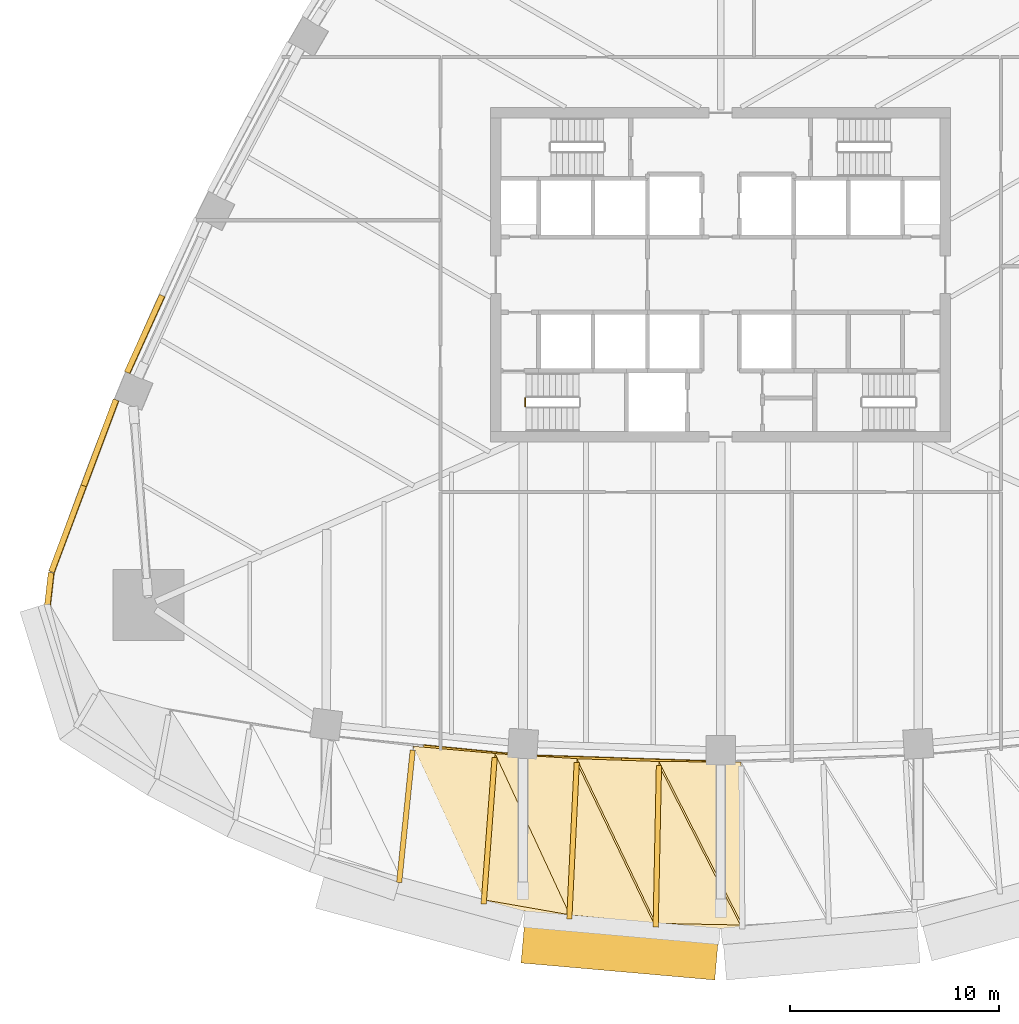
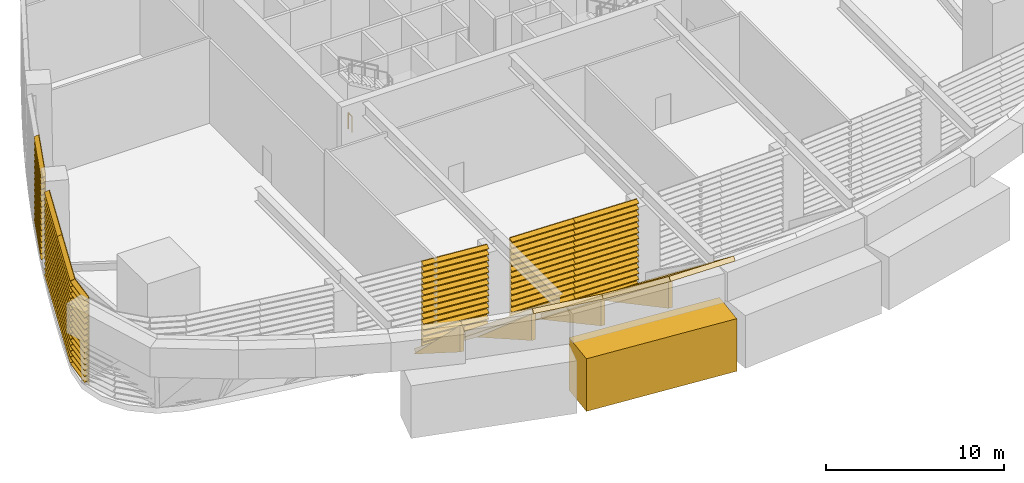
# One storey, part 9 of 15: 12 coverings, 7 shading devices, 1 railing.
"""IFC4 building model written with IfcOpenShell, lengths in metres."""

from ifc_helpers import new_model, si_unit, direction, frame, origin, origin_2d, place, context, subcontext, project, spatial, polyline, circle, outline, extrude, material, layer, layer_set, type_object, element, save


model = new_model("IFC4")

# Units and contexts
model_context = context("Model", 3, precision=1e-05, world=origin(), true_north=direction((0.0, 1.0)))
body_context = subcontext(model_context, "Body", "Model", "MODEL_VIEW")
ifc_project = project(units=[si_unit("LENGTHUNIT", "METRE"), si_unit("AREAUNIT", "SQUARE_METRE"), si_unit("VOLUMEUNIT", "CUBIC_METRE"), si_unit("PLANEANGLEUNIT", "RADIAN"), si_unit("MASSUNIT", "GRAM", prefix="KILO")], contexts=[model_context])

# Site, building, storey
site_placement = place(None, origin())
site = spatial("IfcSite", under=ifc_project, at=site_placement, CompositionType="ELEMENT")
building_placement = place(site_placement, origin())
building = spatial("IfcBuilding", under=site, at=building_placement, Name="Sierra Prisma Convention Tower", CompositionType="ELEMENT")
storey_placement = place(building_placement, frame((0.0, 0.0, 34.199951171875)))
storey = spatial("IfcBuildingStorey", under=building, at=storey_placement, Name="L05", CompositionType="ELEMENT", Elevation=34.199951171875)

# Shading devices
ifc_material_1 = material(Name="Aluminium 6063-T6 bronze anodised", Category="aluminium")
shading_device_type = type_object("IfcShadingDeviceType", Name="Louvre bay bronze", PredefinedType="USERDEFINED", material=ifc_material_1)
shading_device_1_placement = place(storey_placement, frame((-14.204345703125, -22.470947265625, 0.0), z_axis=(-0.995215370304, 0.097705510133, 0.0), x_axis=(0.0, 0.0, 1.0)))
element("IfcShadingDevice", 1, at=shading_device_1_placement, inside=storey, type_object=shading_device_type, Name="Louvre L05 S2.2", ObjectType="LOUVRE", PredefinedType="USERDEFINED", context=body_context, shape_type="SweptSolid", body=[
    extrude(outline(polyline([(0.0, 0.0), (6.0, 0.0), (6.0, -0.030171864421144508), (5.97998046875, -0.030171864421144508), (5.860107421875, -0.3000416905781454), (5.830078125, -0.3000416905781454), (5.949951171875, -0.030171864421144508), (5.60009765625, -0.030171864421144508), (5.580078125, -0.030171864421144508), (5.4599609375, -0.3000416905781454), (5.429931640625, -0.3000416905781454), (5.550048828125, -0.030171864421144508), (5.199951171875, -0.030171864421144508), (5.179931640625, -0.030171864421144508), (5.06005859375, -0.3000416905781454), (5.030029296875, -0.3000416905781454), (5.150146484375, -0.030171864421144508), (4.800048828125, -0.030171864421144508), (4.780029296875, -0.030171864421144508), (4.66015625, -0.3000416905781454), (4.630126953125, -0.3000416905781454), (4.75, -0.030171864421144508), (4.400146484375, -0.030171864421144508), (4.380126953125, -0.030171864421144508), (4.260009765625, -0.3000416905781454), (4.22998046875, -0.3000416905781454), (4.35009765625, -0.030171864421144508), (4.0, -0.030171864421144508), (3.97998046875, -0.030171864421144508), (3.860107421875, -0.3000416905781454), (3.830078125, -0.3000416905781454), (3.949951171875, -0.030171864421144508), (3.60009765625, -0.030171864421144508), (3.580078125, -0.030171864421144508), (3.4599609375, -0.3000416905781454), (3.429931640625, -0.3000416905781454), (3.550048828125, -0.030171864421144508), (3.199951171875, -0.030171864421144508), (3.179931640625, -0.030171864421144508), (3.06005859375, -0.3000416905781454), (3.030029296875, -0.3000416905781454), (3.150146484375, -0.030171864421144508), (2.800048828125, -0.030171864421144508), (2.780029296875, -0.030171864421144508), (2.66015625, -0.3000416905781454), (2.630126953125, -0.3000416905781454), (2.75, -0.030171864421144508), (2.400146484375, -0.030171864421144508), (2.380126953125, -0.030171864421144508), (2.260009765625, -0.3000416905781454), (2.22998046875, -0.3000416905781454), (2.35009765625, -0.030171864421144508), (2.0, -0.030171864421144508), (1.97998046875, -0.030171864421144508), (1.860107421875, -0.3000416905781454), (1.830078125, -0.3000416905781454), (1.949951171875, -0.030171864421144508), (1.60009765625, -0.030171864421144508), (1.580078125, -0.030171864421144508), (1.4599609375, -0.3000416905781454), (1.429931640625, -0.3000416905781454), (1.550048828125, -0.030171864421144508), (1.199951171875, -0.030171864421144508), (1.179931640625, -0.030171864421144508), (1.06005859375, -0.3000416905781454), (1.030029296875, -0.3000416905781454), (1.150146484375, -0.030171864421144508), (0.800048828125, -0.030171864421144508), (0.780029296875, -0.030171864421144508), (0.66015625, -0.3000416905781454), (0.630126953125, -0.3000416905781454), (0.75, -0.030171864421144508), (0.400146484375, -0.030171864421144508), (0.380126953125, -0.030171864421144508), (0.260009765625, -0.3000416905781454), (0.22998046875, -0.3000416905781454), (0.35009765625, -0.030171864421144508), (0.0, -0.030171864421144508), (0.0, 0.0)])), origin(), (0.0, 0.0, -1.0), 4.044189453125),
])
shading_device_2_placement = place(storey_placement, frame((-8.78369140625, -22.961181640625, 0.0), z_axis=(-0.999470863599, 0.032526801507, 0.0), x_axis=(0.0, 0.0, 1.0)))
element("IfcShadingDevice", 2, at=shading_device_2_placement, inside=storey, type_object=shading_device_type, Name="Louvre L05 S3.1", ObjectType="LOUVRE", PredefinedType="USERDEFINED", context=body_context, shape_type="SweptSolid", body=[
    extrude(outline(polyline([(0.0, 0.0), (6.0, 0.0), (6.0, -0.03004517173552959), (5.97998046875, -0.03004517173552959), (5.860107421875, -0.2999636944726791), (5.830078125, -0.2999636944726791), (5.949951171875, -0.03004517173552959), (5.60009765625, -0.03004517173552959), (5.580078125, -0.03004517173552959), (5.4599609375, -0.2999636944726791), (5.429931640625, -0.2999636944726791), (5.550048828125, -0.03004517173552959), (5.199951171875, -0.03004517173552959), (5.179931640625, -0.03004517173552959), (5.06005859375, -0.2999636944726791), (5.030029296875, -0.2999636944726791), (5.150146484375, -0.03004517173552959), (4.800048828125, -0.03004517173552959), (4.780029296875, -0.03004517173552959), (4.66015625, -0.2999636944726791), (4.630126953125, -0.2999636944726791), (4.75, -0.03004517173552959), (4.400146484375, -0.03004517173552959), (4.380126953125, -0.03004517173552959), (4.260009765625, -0.2999636944726791), (4.22998046875, -0.2999636944726791), (4.35009765625, -0.03004517173552959), (4.0, -0.03004517173552959), (3.97998046875, -0.03004517173552959), (3.860107421875, -0.2999636944726791), (3.830078125, -0.2999636944726791), (3.949951171875, -0.03004517173552959), (3.60009765625, -0.03004517173552959), (3.580078125, -0.03004517173552959), (3.4599609375, -0.2999636944726791), (3.429931640625, -0.2999636944726791), (3.550048828125, -0.03004517173552959), (3.199951171875, -0.03004517173552959), (3.179931640625, -0.03004517173552959), (3.06005859375, -0.2999636944726791), (3.030029296875, -0.2999636944726791), (3.150146484375, -0.03004517173552959), (2.800048828125, -0.03004517173552959), (2.780029296875, -0.03004517173552959), (2.66015625, -0.2999636944726791), (2.630126953125, -0.2999636944726791), (2.75, -0.03004517173552959), (2.400146484375, -0.03004517173552959), (2.380126953125, -0.03004517173552959), (2.260009765625, -0.2999636944726791), (2.22998046875, -0.2999636944726791), (2.35009765625, -0.03004517173552959), (2.0, -0.03004517173552959), (1.97998046875, -0.03004517173552959), (1.860107421875, -0.2999636944726791), (1.830078125, -0.2999636944726791), (1.949951171875, -0.03004517173552959), (1.60009765625, -0.03004517173552959), (1.580078125, -0.03004517173552959), (1.4599609375, -0.2999636944726791), (1.429931640625, -0.2999636944726791), (1.550048828125, -0.03004517173552959), (1.199951171875, -0.03004517173552959), (1.179931640625, -0.03004517173552959), (1.06005859375, -0.2999636944726791), (1.030029296875, -0.2999636944726791), (1.150146484375, -0.03004517173552959), (0.800048828125, -0.03004517173552959), (0.780029296875, -0.03004517173552959), (0.66015625, -0.2999636944726791), (0.630126953125, -0.2999636944726791), (0.75, -0.03004517173552959), (0.400146484375, -0.03004517173552959), (0.380126953125, -0.03004517173552959), (0.260009765625, -0.2999636944726791), (0.22998046875, -0.2999636944726791), (0.35009765625, -0.03004517173552959), (0.0, -0.03004517173552959), (0.0, 0.0)])), origin(), (0.0, 0.0, -1.0), 4.044189453125),
])
shading_device_3_placement = place(storey_placement, frame((-4.74169921875, -23.093994140625, 0.0), z_axis=(-0.999470863599, 0.032526801507, 0.0), x_axis=(0.0, 0.0, 1.0)))
element("IfcShadingDevice", 3, at=shading_device_3_placement, inside=storey, type_object=shading_device_type, Name="Louvre L05 S3.2", ObjectType="LOUVRE", PredefinedType="USERDEFINED", context=body_context, shape_type="SweptSolid", body=[
    extrude(outline(polyline([(0.0, 0.0), (6.0, 0.0), (6.0, -0.03004517173552959), (5.97998046875, -0.03004517173552959), (5.860107421875, -0.2999636944726791), (5.830078125, -0.2999636944726791), (5.949951171875, -0.03004517173552959), (5.60009765625, -0.03004517173552959), (5.580078125, -0.03004517173552959), (5.4599609375, -0.2999636944726791), (5.429931640625, -0.2999636944726791), (5.550048828125, -0.03004517173552959), (5.199951171875, -0.03004517173552959), (5.179931640625, -0.03004517173552959), (5.06005859375, -0.2999636944726791), (5.030029296875, -0.2999636944726791), (5.150146484375, -0.03004517173552959), (4.800048828125, -0.03004517173552959), (4.780029296875, -0.03004517173552959), (4.66015625, -0.2999636944726791), (4.630126953125, -0.2999636944726791), (4.75, -0.03004517173552959), (4.400146484375, -0.03004517173552959), (4.380126953125, -0.03004517173552959), (4.260009765625, -0.2999636944726791), (4.22998046875, -0.2999636944726791), (4.35009765625, -0.03004517173552959), (4.0, -0.03004517173552959), (3.97998046875, -0.03004517173552959), (3.860107421875, -0.2999636944726791), (3.830078125, -0.2999636944726791), (3.949951171875, -0.03004517173552959), (3.60009765625, -0.03004517173552959), (3.580078125, -0.03004517173552959), (3.4599609375, -0.2999636944726791), (3.429931640625, -0.2999636944726791), (3.550048828125, -0.03004517173552959), (3.199951171875, -0.03004517173552959), (3.179931640625, -0.03004517173552959), (3.06005859375, -0.2999636944726791), (3.030029296875, -0.2999636944726791), (3.150146484375, -0.03004517173552959), (2.800048828125, -0.03004517173552959), (2.780029296875, -0.03004517173552959), (2.66015625, -0.2999636944726791), (2.630126953125, -0.2999636944726791), (2.75, -0.03004517173552959), (2.400146484375, -0.03004517173552959), (2.380126953125, -0.03004517173552959), (2.260009765625, -0.2999636944726791), (2.22998046875, -0.2999636944726791), (2.35009765625, -0.03004517173552959), (2.0, -0.03004517173552959), (1.97998046875, -0.03004517173552959), (1.860107421875, -0.2999636944726791), (1.830078125, -0.2999636944726791), (1.949951171875, -0.03004517173552959), (1.60009765625, -0.03004517173552959), (1.580078125, -0.03004517173552959), (1.4599609375, -0.2999636944726791), (1.429931640625, -0.2999636944726791), (1.550048828125, -0.03004517173552959), (1.199951171875, -0.03004517173552959), (1.179931640625, -0.03004517173552959), (1.06005859375, -0.2999636944726791), (1.030029296875, -0.2999636944726791), (1.150146484375, -0.03004517173552959), (0.800048828125, -0.03004517173552959), (0.780029296875, -0.03004517173552959), (0.66015625, -0.2999636944726791), (0.630126953125, -0.2999636944726791), (0.75, -0.03004517173552959), (0.400146484375, -0.03004517173552959), (0.380126953125, -0.03004517173552959), (0.260009765625, -0.2999636944726791), (0.22998046875, -0.2999636944726791), (0.35009765625, -0.03004517173552959), (0.0, -0.03004517173552959), (0.0, 0.0)])), origin(), (0.0, 0.0, -1.0), 4.044189453125),
])
shading_device_4_placement = place(storey_placement, frame((-26.562744140625, -1.06591796875, 0.0), z_axis=(0.413647403297, 0.910437161887, 0.0), x_axis=(0.0, 0.0, 1.0)))
element("IfcShadingDevice", 4, at=shading_device_4_placement, inside=storey, type_object=shading_device_type, Name="Louvre L05 NW5.2", ObjectType="LOUVRE", PredefinedType="USERDEFINED", context=body_context, shape_type="SweptSolid", body=[
    extrude(outline(polyline([(0.0, 0.0), (6.0, 0.0), (6.0, -0.030045161059457964), (5.97998046875, -0.030045161059457964), (5.860107421875, -0.2999263714901415), (5.830078125, -0.2999263714901415), (5.949951171875, -0.030045161059457964), (5.60009765625, -0.030045161059457964), (5.580078125, -0.030045161059457964), (5.4599609375, -0.2999263714901415), (5.429931640625, -0.2999263714901415), (5.550048828125, -0.030045161059457964), (5.199951171875, -0.030045161059457964), (5.179931640625, -0.030045161059457964), (5.06005859375, -0.2999263714901415), (5.030029296875, -0.2999263714901415), (5.150146484375, -0.030045161059457964), (4.800048828125, -0.030045161059457964), (4.780029296875, -0.030045161059457964), (4.66015625, -0.2999263714901415), (4.630126953125, -0.2999263714901415), (4.75, -0.030045161059457964), (4.400146484375, -0.030045161059457964), (4.380126953125, -0.030045161059457964), (4.260009765625, -0.2999263714901415), (4.22998046875, -0.2999263714901415), (4.35009765625, -0.030045161059457964), (4.0, -0.030045161059457964), (3.97998046875, -0.030045161059457964), (3.860107421875, -0.2999263714901415), (3.830078125, -0.2999263714901415), (3.949951171875, -0.030045161059457964), (3.60009765625, -0.030045161059457964), (3.580078125, -0.030045161059457964), (3.4599609375, -0.2999263714901415), (3.429931640625, -0.2999263714901415), (3.550048828125, -0.030045161059457964), (3.199951171875, -0.030045161059457964), (3.179931640625, -0.030045161059457964), (3.06005859375, -0.2999263714901415), (3.030029296875, -0.2999263714901415), (3.150146484375, -0.030045161059457964), (2.800048828125, -0.030045161059457964), (2.780029296875, -0.030045161059457964), (2.66015625, -0.2999263714901415), (2.630126953125, -0.2999263714901415), (2.75, -0.030045161059457964), (2.400146484375, -0.030045161059457964), (2.380126953125, -0.030045161059457964), (2.260009765625, -0.2999263714901415), (2.22998046875, -0.2999263714901415), (2.35009765625, -0.030045161059457964), (2.0, -0.030045161059457964), (1.97998046875, -0.030045161059457964), (1.860107421875, -0.2999263714901415), (1.830078125, -0.2999263714901415), (1.949951171875, -0.030045161059457964), (1.60009765625, -0.030045161059457964), (1.580078125, -0.030045161059457964), (1.4599609375, -0.2999263714901415), (1.429931640625, -0.2999263714901415), (1.550048828125, -0.030045161059457964), (1.199951171875, -0.030045161059457964), (1.179931640625, -0.030045161059457964), (1.06005859375, -0.2999263714901415), (1.030029296875, -0.2999263714901415), (1.150146484375, -0.030045161059457964), (0.800048828125, -0.030045161059457964), (0.780029296875, -0.030045161059457964), (0.66015625, -0.2999263714901415), (0.630126953125, -0.2999263714901415), (0.75, -0.030045161059457964), (0.400146484375, -0.030045161059457964), (0.380126953125, -0.030045161059457964), (0.260009765625, -0.2999263714901415), (0.22998046875, -0.2999263714901415), (0.35009765625, -0.030045161059457964), (0.0, -0.030045161059457964), (0.0, 0.0)])), origin(), (0.0, 0.0, -1.0), 4.044189453125),
])
shading_device_5_placement = place(storey_placement, frame((-28.764892578125, -6.043212890625, 0.0), z_axis=(0.350870432564, 0.936424016967, 0.0), x_axis=(0.0, 0.0, 1.0)))
element("IfcShadingDevice", 5, at=shading_device_5_placement, inside=storey, type_object=shading_device_type, Name="Louvre L05 NW6.1", ObjectType="LOUVRE", PredefinedType="USERDEFINED", context=body_context, shape_type="SweptSolid", body=[
    extrude(outline(polyline([(0.0, 0.0), (6.0, 0.0), (6.0, -0.0299746558963479), (5.97998046875, -0.0299746558963479), (5.860107421875, -0.2999178824168793), (5.830078125, -0.2999178824168793), (5.949951171875, -0.0299746558963479), (5.60009765625, -0.0299746558963479), (5.580078125, -0.0299746558963479), (5.4599609375, -0.2999178824168793), (5.429931640625, -0.2999178824168793), (5.550048828125, -0.0299746558963479), (5.199951171875, -0.0299746558963479), (5.179931640625, -0.0299746558963479), (5.06005859375, -0.2999178824168793), (5.030029296875, -0.2999178824168793), (5.150146484375, -0.0299746558963479), (4.800048828125, -0.0299746558963479), (4.780029296875, -0.0299746558963479), (4.66015625, -0.2999178824168793), (4.630126953125, -0.2999178824168793), (4.75, -0.0299746558963479), (4.400146484375, -0.0299746558963479), (4.380126953125, -0.0299746558963479), (4.260009765625, -0.2999178824168793), (4.22998046875, -0.2999178824168793), (4.35009765625, -0.0299746558963479), (4.0, -0.0299746558963479), (3.97998046875, -0.0299746558963479), (3.860107421875, -0.2999178824168793), (3.830078125, -0.2999178824168793), (3.949951171875, -0.0299746558963479), (3.60009765625, -0.0299746558963479), (3.580078125, -0.0299746558963479), (3.4599609375, -0.2999178824168793), (3.429931640625, -0.2999178824168793), (3.550048828125, -0.0299746558963479), (3.199951171875, -0.0299746558963479), (3.179931640625, -0.0299746558963479), (3.06005859375, -0.2999178824168793), (3.030029296875, -0.2999178824168793), (3.150146484375, -0.0299746558963479), (2.800048828125, -0.0299746558963479), (2.780029296875, -0.0299746558963479), (2.66015625, -0.2999178824168793), (2.630126953125, -0.2999178824168793), (2.75, -0.0299746558963479), (2.400146484375, -0.0299746558963479), (2.380126953125, -0.0299746558963479), (2.260009765625, -0.2999178824168793), (2.22998046875, -0.2999178824168793), (2.35009765625, -0.0299746558963479), (2.0, -0.0299746558963479), (1.97998046875, -0.0299746558963479), (1.860107421875, -0.2999178824168793), (1.830078125, -0.2999178824168793), (1.949951171875, -0.0299746558963479), (1.60009765625, -0.0299746558963479), (1.580078125, -0.0299746558963479), (1.4599609375, -0.2999178824168793), (1.429931640625, -0.2999178824168793), (1.550048828125, -0.0299746558963479), (1.199951171875, -0.0299746558963479), (1.179931640625, -0.0299746558963479), (1.06005859375, -0.2999178824168793), (1.030029296875, -0.2999178824168793), (1.150146484375, -0.0299746558963479), (0.800048828125, -0.0299746558963479), (0.780029296875, -0.0299746558963479), (0.66015625, -0.2999178824168793), (0.630126953125, -0.2999178824168793), (0.75, -0.0299746558963479), (0.400146484375, -0.0299746558963479), (0.380126953125, -0.0299746558963479), (0.260009765625, -0.2999178824168793), (0.22998046875, -0.2999178824168793), (0.35009765625, -0.0299746558963479), (0.0, -0.0299746558963479), (0.0, 0.0)])), origin(), (0.0, 0.0, -1.0), 4.394287109375),
])
shading_device_6_placement = place(storey_placement, frame((-30.3095703125, -10.156982421875, 0.0), z_axis=(0.350870432564, 0.936424016967, 0.0), x_axis=(0.0, 0.0, 1.0)))
element("IfcShadingDevice", 6, at=shading_device_6_placement, inside=storey, type_object=shading_device_type, Name="Louvre L05 NW6.2", ObjectType="LOUVRE", PredefinedType="USERDEFINED", context=body_context, shape_type="SweptSolid", body=[
    extrude(outline(polyline([(0.0, 0.0), (6.0, 0.0), (6.0, -0.0299746558963479), (5.97998046875, -0.0299746558963479), (5.860107421875, -0.2999178824168793), (5.830078125, -0.2999178824168793), (5.949951171875, -0.0299746558963479), (5.60009765625, -0.0299746558963479), (5.580078125, -0.0299746558963479), (5.4599609375, -0.2999178824168793), (5.429931640625, -0.2999178824168793), (5.550048828125, -0.0299746558963479), (5.199951171875, -0.0299746558963479), (5.179931640625, -0.0299746558963479), (5.06005859375, -0.2999178824168793), (5.030029296875, -0.2999178824168793), (5.150146484375, -0.0299746558963479), (4.800048828125, -0.0299746558963479), (4.780029296875, -0.0299746558963479), (4.66015625, -0.2999178824168793), (4.630126953125, -0.2999178824168793), (4.75, -0.0299746558963479), (4.400146484375, -0.0299746558963479), (4.380126953125, -0.0299746558963479), (4.260009765625, -0.2999178824168793), (4.22998046875, -0.2999178824168793), (4.35009765625, -0.0299746558963479), (4.0, -0.0299746558963479), (3.97998046875, -0.0299746558963479), (3.860107421875, -0.2999178824168793), (3.830078125, -0.2999178824168793), (3.949951171875, -0.0299746558963479), (3.60009765625, -0.0299746558963479), (3.580078125, -0.0299746558963479), (3.4599609375, -0.2999178824168793), (3.429931640625, -0.2999178824168793), (3.550048828125, -0.0299746558963479), (3.199951171875, -0.0299746558963479), (3.179931640625, -0.0299746558963479), (3.06005859375, -0.2999178824168793), (3.030029296875, -0.2999178824168793), (3.150146484375, -0.0299746558963479), (2.800048828125, -0.0299746558963479), (2.780029296875, -0.0299746558963479), (2.66015625, -0.2999178824168793), (2.630126953125, -0.2999178824168793), (2.75, -0.0299746558963479), (2.400146484375, -0.0299746558963479), (2.380126953125, -0.0299746558963479), (2.260009765625, -0.2999178824168793), (2.22998046875, -0.2999178824168793), (2.35009765625, -0.0299746558963479), (2.0, -0.0299746558963479), (1.97998046875, -0.0299746558963479), (1.860107421875, -0.2999178824168793), (1.830078125, -0.2999178824168793), (1.949951171875, -0.0299746558963479), (1.60009765625, -0.0299746558963479), (1.580078125, -0.0299746558963479), (1.4599609375, -0.2999178824168793), (1.429931640625, -0.2999178824168793), (1.550048828125, -0.0299746558963479), (1.199951171875, -0.0299746558963479), (1.179931640625, -0.0299746558963479), (1.06005859375, -0.2999178824168793), (1.030029296875, -0.2999178824168793), (1.150146484375, -0.0299746558963479), (0.800048828125, -0.0299746558963479), (0.780029296875, -0.0299746558963479), (0.66015625, -0.2999178824168793), (0.630126953125, -0.2999178824168793), (0.75, -0.0299746558963479), (0.400146484375, -0.0299746558963479), (0.380126953125, -0.0299746558963479), (0.260009765625, -0.2999178824168793), (0.22998046875, -0.2999178824168793), (0.35009765625, -0.0299746558963479), (0.0, -0.0299746558963479), (0.0, 0.0)])), origin(), (0.0, 0.0, -1.0), 4.394287109375),
])
shading_device_7_placement = place(storey_placement, frame((-31.8544921875, -14.270751953125, 0.0), z_axis=(0.114005909847, 0.993480071526, 0.0), x_axis=(0.0, 0.0, 1.0)))
element("IfcShadingDevice", 7, at=shading_device_7_placement, inside=storey, type_object=shading_device_type, Name="Louvre L05 SW1.1", ObjectType="LOUVRE", PredefinedType="USERDEFINED", context=body_context, shape_type="SweptSolid", body=[
    extrude(outline(polyline([(0.0, 0.0), (6.0, 0.0), (6.0, -0.02998062779884522), (5.97998046875, -0.02998062779884522), (5.860107421875, -0.29980627798845216), (5.830078125, -0.29980627798845216), (5.949951171875, -0.02998062779884522), (5.60009765625, -0.02998062779884522), (5.580078125, -0.02998062779884522), (5.4599609375, -0.29980627798845216), (5.429931640625, -0.29980627798845216), (5.550048828125, -0.02998062779884522), (5.199951171875, -0.02998062779884522), (5.179931640625, -0.02998062779884522), (5.06005859375, -0.29980627798845216), (5.030029296875, -0.29980627798845216), (5.150146484375, -0.02998062779884522), (4.800048828125, -0.02998062779884522), (4.780029296875, -0.02998062779884522), (4.66015625, -0.29980627798845216), (4.630126953125, -0.29980627798845216), (4.75, -0.02998062779884522), (4.400146484375, -0.02998062779884522), (4.380126953125, -0.02998062779884522), (4.260009765625, -0.29980627798845216), (4.22998046875, -0.29980627798845216), (4.35009765625, -0.02998062779884522), (4.0, -0.02998062779884522), (3.97998046875, -0.02998062779884522), (3.860107421875, -0.29980627798845216), (3.830078125, -0.29980627798845216), (3.949951171875, -0.02998062779884522), (3.60009765625, -0.02998062779884522), (3.580078125, -0.02998062779884522), (3.4599609375, -0.29980627798845216), (3.429931640625, -0.29980627798845216), (3.550048828125, -0.02998062779884522), (3.199951171875, -0.02998062779884522), (3.179931640625, -0.02998062779884522), (3.06005859375, -0.29980627798845216), (3.030029296875, -0.29980627798845216), (3.150146484375, -0.02998062779884522), (2.800048828125, -0.02998062779884522), (2.780029296875, -0.02998062779884522), (2.66015625, -0.29980627798845216), (2.630126953125, -0.29980627798845216), (2.75, -0.02998062779884522), (2.400146484375, -0.02998062779884522), (2.380126953125, -0.02998062779884522), (2.260009765625, -0.29980627798845216), (2.22998046875, -0.29980627798845216), (2.35009765625, -0.02998062779884522), (2.0, -0.02998062779884522), (1.97998046875, -0.02998062779884522), (1.860107421875, -0.29980627798845216), (1.830078125, -0.29980627798845216), (1.949951171875, -0.02998062779884522), (1.60009765625, -0.02998062779884522), (1.580078125, -0.02998062779884522), (1.4599609375, -0.29980627798845216), (1.429931640625, -0.29980627798845216), (1.550048828125, -0.02998062779884522), (1.199951171875, -0.02998062779884522), (1.179931640625, -0.02998062779884522), (1.06005859375, -0.29980627798845216), (1.030029296875, -0.29980627798845216), (1.150146484375, -0.02998062779884522), (0.800048828125, -0.02998062779884522), (0.780029296875, -0.02998062779884522), (0.66015625, -0.29980627798845216), (0.630126953125, -0.29980627798845216), (0.75, -0.02998062779884522), (0.400146484375, -0.02998062779884522), (0.380126953125, -0.02998062779884522), (0.260009765625, -0.29980627798845216), (0.22998046875, -0.29980627798845216), (0.35009765625, -0.02998062779884522), (0.0, -0.02998062779884522), (0.0, 0.0)])), origin(), (0.0, 0.0, -1.0), 2.00341796875),
])

# Coverings
ifc_material_2 = material(Name="Aluminium composite bronze anodised", Category="aluminium")
ifc_layer_1 = layer(ifc_material_2, 0.25)
ifc_layer_set_1 = layer_set([ifc_layer_1], Name="Overhang bracket")
covering_type_1 = type_object("IfcCoveringType", Name="Overhang bracket", PredefinedType="CLADDING", material=ifc_layer_set_1)
covering_1_placement = place(storey_placement, frame((-14.850341796875, -22.7353515625, 0.0), z_axis=(-0.994803520801, 0.101813334104, 0.0), x_axis=(-0.074015013878, -0.723190111067, 0.686671567036)))
element("IfcCovering", 8, at=covering_1_placement, inside=storey, type_object=covering_type_1, Name="Overhang bracket 6", PredefinedType="CLADDING", context=body_context, shape_type="SweptSolid", body=[
    extrude(outline(polyline([(0.0, 0.0), (8.737801720699288, -8.881784197001252e-16), (7.501759371149881, -1.308577507736767), (0.0, 0.0)])), origin(), (0.0, 0.0, -1.0), 0.25),
])
covering_2_placement = place(storey_placement, frame((-10.932373046875, -23.086181640625, 0.0), z_axis=(-0.997203134432, 0.074738936836, 0.0), x_axis=(-0.056814111854, -0.758041428193, 0.64972713491)))
element("IfcCovering", 9, at=covering_2_placement, inside=storey, type_object=covering_type_1, Name="Overhang bracket 7", PredefinedType="CLADDING", context=body_context, shape_type="SweptSolid", body=[
    extrude(outline(polyline([(0.0, 0.0), (9.234645865351904, 0.0), (8.06510529755684, -1.3683386437266862), (0.0, 0.0)])), origin(), (0.0, 0.0, -1.0), 0.25),
])
covering_3_placement = place(storey_placement, frame((-7.00634765625, -23.330322265625, 0.0), z_axis=(-0.998867768589, 0.047572900617, 0.0), x_axis=(-0.037114002264, -0.779266770445, 0.625592400302)))
element("IfcCovering", 10, at=covering_3_placement, inside=storey, type_object=covering_type_1, Name="Overhang bracket 8", PredefinedType="CLADDING", context=body_context, shape_type="SweptSolid", body=[
    extrude(outline(polyline([(0.0, 0.0), (9.590909347843372, 0.0), (8.46481248079514, -1.4043082388344619), (0.0, 0.0)])), origin(), (0.0, 0.0, -1.0), 0.25),
])
covering_4_placement = place(storey_placement, frame((-3.074951171875, -23.46728515625, 0.0), z_axis=(-0.999791752802, 0.020407131808, 0.0), x_axis=(-0.01612888896, -0.790190915385, 0.61264849317)))
element("IfcCovering", 11, at=covering_4_placement, inside=storey, type_object=covering_type_1, Name="Overhang bracket 9", PredefinedType="CLADDING", context=body_context, shape_type="SweptSolid", body=[
    extrude(outline(polyline([(0.0, 0.0), (9.793544041793458, 0.0), (8.69074683961003, -1.4226785000451057), (0.0, 0.0)])), origin(), (0.0, 0.0, -1.0), 0.25),
])
ifc_material_3 = material(Name="Aluminium composite bronze anodised", Category="aluminium")
ifc_layer_2 = layer(ifc_material_3, 1.10009765625)
ifc_layer_set_2 = layer_set([ifc_layer_2], Name="Overhang fascia wedge")
covering_type_2 = type_object("IfcCoveringType", Name="Overhang fascia wedge", PredefinedType="CLADDING", material=ifc_layer_set_2)
covering_5_placement = place(storey_placement, frame((0.0, 0.0, 0.400146484375)))
element("IfcCovering", 12, at=covering_5_placement, inside=storey, type_object=covering_type_2, Name="Overhang fascia wedge", PredefinedType="CLADDING", context=body_context, shape_type="SweptSolid", body=[
    extrude(outline(polyline([(-9.343017578125, -30.627685546875), (-0.079345703125, -31.4423828125), (-0.28076171875, -33.7333984375), (-9.54443359375, -32.9189453125), (-9.343017578125, -30.627685546875)])), origin(), (0.0, 0.0, 1.0), 3.599853515625),
])
ifc_material_4 = material(Name="Aluminium composite bronze anodised", Category="aluminium")
ifc_layer_3 = layer(ifc_material_4, 0.300048828125)
ifc_layer_set_3 = layer_set([ifc_layer_3], Name="Soffit panel bronze")
covering_type_3 = type_object("IfcCoveringType", Name="Soffit panel bronze", PredefinedType="CLADDING", material=ifc_layer_set_3)
covering_6_placement = place(storey_placement, frame((-14.725830078125, -22.748291015625, 0.0), z_axis=(-0.057345446122, -0.647213125743, -0.760149110159), x_axis=(0.996097658327, -0.088257889597, 0.0)))
element("IfcCovering", 13, at=covering_6_placement, inside=storey, type_object=covering_type_3, Name="Soffit panel 11", PredefinedType="CLADDING", context=body_context, shape_type="SweptSolid", body=[
    extrude(outline(polyline([(0.0, 0.0), (3.933562997434504, 5.551115123125783e-17), (4.028800511730715, 9.2343398368208), (0.0, 0.0)])), origin(), (0.0, 0.0, -1.0), 0.300048828125),
])
covering_7_placement = place(storey_placement, frame((-10.8076171875, -23.095458984375, 0.0), z_axis=(-0.038285794634, -0.624454512473, -0.780122272327), x_axis=(0.998125776261, -0.061195872117, 0.0)))
element("IfcCovering", 14, at=covering_7_placement, inside=storey, type_object=covering_type_3, Name="Soffit panel 13", PredefinedType="CLADDING", context=body_context, shape_type="SweptSolid", body=[
    extrude(outline(polyline([(0.0, 0.0), (3.9336420565748167, -2.7755575615628914e-17), (4.035478903637196, 9.59037774239777), (0.0, 0.0)])), origin(), (0.0, 0.0, -1.0), 0.300048828125),
])
covering_8_placement = place(storey_placement, frame((-10.8076171875, -23.095458984375, 0.0), z_axis=(-0.111933062131, -0.641826091643, -0.758637105399), x_axis=(0.343116535158, -0.741444258664, 0.576655403682)))
element("IfcCovering", 15, at=covering_8_placement, inside=storey, type_object=covering_type_3, Name="Soffit panel 14", PredefinedType="CLADDING", context=body_context, shape_type="SweptSolid", body=[
    extrude(outline(polyline([(0.0, 0.0), (10.40482749609908, 2.220446049250313e-16), (8.4703853612705, 3.6789501542694714), (0.0, 0.0)])), origin(), (0.0, 0.0, -1.0), 0.300048828125),
])
covering_9_placement = place(storey_placement, frame((-6.88134765625, -23.336181640625, 0.0), z_axis=(-0.020839856042, -0.612341901451, -0.790318351127), x_axis=(0.999421378707, -0.034013347133, 0.0)))
element("IfcCovering", 16, at=covering_9_placement, inside=storey, type_object=covering_type_3, Name="Soffit panel 15", PredefinedType="CLADDING", context=body_context, shape_type="SweptSolid", body=[
    extrude(outline(polyline([(0.0, 0.0), (3.9334283091237023, 0.0), (4.039017872947408, 9.792777953027345), (0.0, 0.0)])), origin(), (0.0, 0.0, -1.0), 0.300048828125),
])
covering_10_placement = place(storey_placement, frame((-6.88134765625, -23.336181640625, 0.0), z_axis=(-0.060122746236, -0.623147213587, -0.779790231783), x_axis=(0.356219089688, -0.743160232076, 0.566410478012)))
element("IfcCovering", 17, at=covering_10_placement, inside=storey, type_object=covering_type_3, Name="Soffit panel 16", PredefinedType="CLADDING", context=body_context, shape_type="SweptSolid", body=[
    extrude(outline(polyline([(0.0, 0.0), (10.593024375280509, 0.0), (8.825865341878908, 3.7536404932170693), (0.0, 0.0)])), origin(), (0.0, 0.0, -1.0), 0.300048828125),
])
covering_11_placement = place(storey_placement, frame((-2.9501953125, -23.469970703125, 0.0), z_axis=(-0.004127283223, -0.610080617328, -0.79232859717), x_axis=(0.999977117199, -0.006764989187, 0.0)))
element("IfcCovering", 18, at=covering_11_placement, inside=storey, type_object=covering_type_3, Name="Soffit panel 17", PredefinedType="CLADDING", context=body_context, shape_type="SweptSolid", body=[
    extrude(outline(polyline([(0.0, 0.0), (3.9336837637033866, 3.469446951953614e-18), (4.039378764748206, 9.834540768507228), (0.0, 0.0)])), origin(), (0.0, 0.0, -1.0), 0.300048828125),
])
covering_12_placement = place(storey_placement, frame((-2.9501953125, -23.469970703125, 0.0), z_axis=(-0.011944166999, -0.612544516028, -0.790345843767), x_axis=(0.37496748335, -0.735468097051, 0.564345696051)))
element("IfcCovering", 19, at=covering_12_placement, inside=storey, type_object=covering_type_3, Name="Soffit panel 18", PredefinedType="CLADDING", context=body_context, shape_type="SweptSolid", body=[
    extrude(outline(polyline([(0.0, 0.0), (10.631781268090942, -2.220446049250313e-16), (9.018374781276492, 3.8181887718816476), (0.0, 0.0)])), origin(), (0.0, 0.0, -1.0), 0.300048828125),
])

# Railing
ifc_material_5 = material(Name="Stainless steel", Category="steel")
railing_type = type_object("IfcRailingType", Name="Stair guard 1100", PredefinedType="GUARDRAIL", material=ifc_material_5)
railing_placement = place(storey_placement, frame((-9.35009765625, -6.300048828125, 3.300048828125)))
element("IfcRailing", 20, at=railing_placement, inside=storey, type_object=railing_type, Name="L05 S1 stair guard 4", PredefinedType="GUARDRAIL", context=body_context, shape_type="SweptSolid", body=[
    extrude(circle(Radius=0.02392578125, at=origin_2d()), frame((0.0, 0.0, 1.076171875), z_axis=(0.0, 1.0, 0.0), x_axis=(-1.0, 0.0, 0.0)), (0.0, 0.0, 1.0), 0.400146484375),
    extrude(circle(Radius=0.02099609375, at=origin_2d()), origin(), (0.0, 0.0, 1.0), 1.052001953125),
    extrude(circle(Radius=0.02099609375, at=origin_2d()), frame((0.0, 0.400146484375, 0.0)), (0.0, 0.0, 1.0), 1.052001953125),
])

save(model, "model.ifc")
